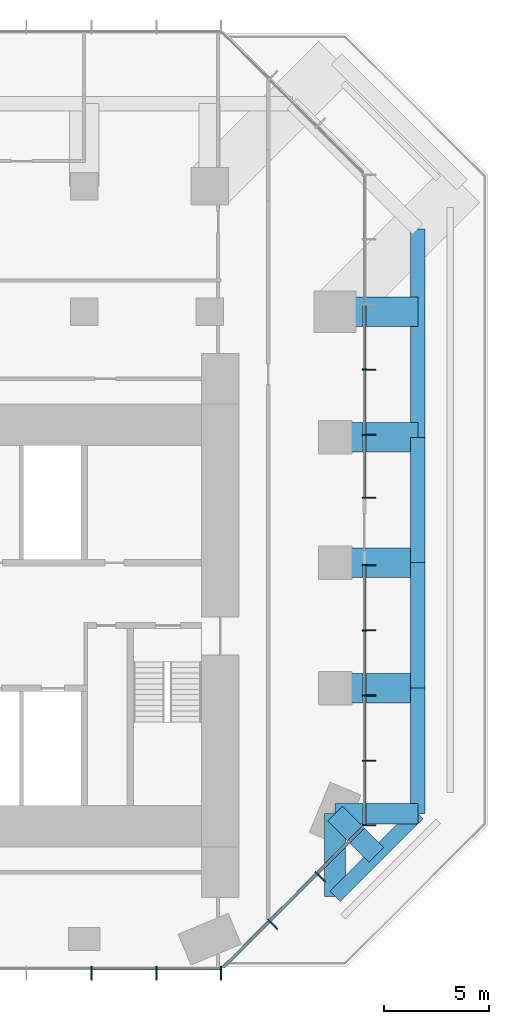
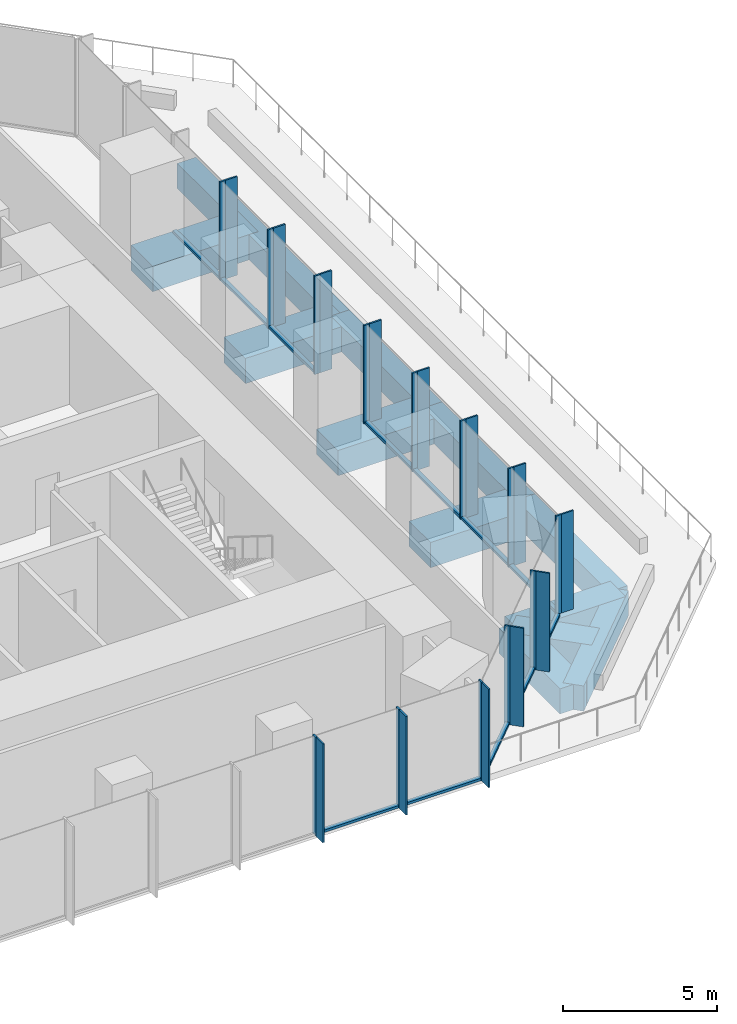
# One storey, part 4 of 11: 38 members, 12 beams, 4 elements without a shape of their own.
"""IFC4 building model written with IfcOpenShell, lengths in metres."""

from ifc_helpers import new_model, si_unit, direction, frame, origin, origin_2d, place, context, subcontext, project, spatial, rectangle, extrude, material, layer, layer_set, material_profile, profile_set, type_object, element, aggregate, save


model = new_model("IFC4")

# Units and contexts
model_context = context("Model", 3, precision=1e-05, world=origin(), true_north=direction((0.0, 1.0)))
body_context = subcontext(model_context, "Body", "Model", "MODEL_VIEW")
ifc_project = project(units=[si_unit("LENGTHUNIT", "METRE"), si_unit("AREAUNIT", "SQUARE_METRE"), si_unit("VOLUMEUNIT", "CUBIC_METRE"), si_unit("PLANEANGLEUNIT", "RADIAN"), si_unit("MASSUNIT", "GRAM", prefix="KILO")], contexts=[model_context])

# Site, building, storey
site_placement = place(None, origin())
site = spatial("IfcSite", under=ifc_project, at=site_placement, CompositionType="ELEMENT")
building_placement = place(site_placement, origin())
building = spatial("IfcBuilding", under=site, at=building_placement, Name="Highveld Stack Headquarters", CompositionType="ELEMENT")
storey_placement = place(building_placement, frame((0.0, 0.0, 188.89990234375)))
storey = spatial("IfcBuildingStorey", under=building, at=storey_placement, Name="L46", CompositionType="ELEMENT", Elevation=188.89990234375)

# Beams
ifc_material_1 = material(Name="Concrete C60/75", Category="concrete")
ifc_material_profile_1 = material_profile(ifc_material_1, rectangle(XDim=1.0, YDim=1.0, at=origin_2d()), Name="RC 1000x1000")
ifc_profile_set_1 = profile_set([ifc_material_profile_1], Name="Concrete C60/75")
beam_type_1 = type_object("IfcBeamType", Name="CANTILEVER RIB RC 1000x1000", PredefinedType="USERDEFINED", material=ifc_profile_set_1)
for number, where, z_axis, x_axis, name in (
    (1, (24.0, -6.0, -0.75), (1.0, 0.0, 0.0), (0.0, 1.0, 0.0), "Cantilever rib 10/D L46"),
    (2, (24.0, -6.0, -0.75), (0.0, -1.0, 0.0), (1.0, 0.0, 0.0), "Cantilever rib 10/D L46"),
):
    element("IfcBeam", number, at=place(storey_placement, frame(where, z_axis=z_axis, x_axis=x_axis)), inside=storey, type_object=beam_type_1, Name=name, ObjectType="CANTILEVER RIB", PredefinedType="USERDEFINED", context=body_context, shape_type="SweptSolid", body=[
        extrude(rectangle(XDim=1.0, YDim=1.0, at=origin_2d()), origin(), (0.0, 0.0, 1.0), 3.949951171875),
    ])
beam_1_placement = place(storey_placement, frame((24.0, -6.0, -0.75), z_axis=(0.707106781187, -0.707106781187, 0.0), x_axis=(0.707106781187, 0.707106781187, 0.0)))
element("IfcBeam", 3, at=beam_1_placement, inside=storey, type_object=beam_type_1, Name="Cantilever rib 10/D L46", ObjectType="CANTILEVER RIB", PredefinedType="USERDEFINED", context=body_context, shape_type="SweptSolid", body=[
    extrude(rectangle(XDim=1.0, YDim=1.0, at=origin_2d()), origin(), (0.0, 0.0, 1.0), 2.793212890625),
])
ifc_material_2 = material(Name="Concrete C60/75", Category="concrete")
ifc_material_profile_2 = material_profile(ifc_material_2, rectangle(XDim=1.39990234375, YDim=1.0, at=origin_2d()), Name="RC 1400x1000")
ifc_profile_set_2 = profile_set([ifc_material_profile_2], Name="Concrete C60/75")
beam_type_2 = type_object("IfcBeamType", Name="CANTILEVER RIB RC 1400x1000", PredefinedType="USERDEFINED", material=ifc_profile_set_2)
for number, where, z_axis, x_axis, name in (
    (4, (24.0, 0.0, -0.75), (1.0, 0.0, 0.0), (0.0, 1.0, 0.0), "Cantilever rib 10/E L46"),
    (5, (24.0, 6.0, -0.75), (1.0, 0.0, 0.0), (0.0, 1.0, 0.0), "Cantilever rib 10/F L46"),
    (6, (24.0, 12.0, -0.75), (1.0, 0.0, 0.0), (0.0, 1.0, 0.0), "Cantilever rib 10/G L46"),
    (7, (24.0, 18.0, -0.75), (1.0, 0.0, 0.0), (0.0, 1.0, 0.0), "Cantilever rib 10/H L46"),
):
    element("IfcBeam", number, at=place(storey_placement, frame(where, z_axis=z_axis, x_axis=x_axis)), inside=storey, type_object=beam_type_2, Name=name, ObjectType="CANTILEVER RIB", PredefinedType="USERDEFINED", context=body_context, shape_type="SweptSolid", body=[
        extrude(rectangle(XDim=1.39990234375, YDim=1.0, at=origin_2d()), origin(), (0.0, 0.0, 1.0), 3.949951171875),
    ])

# Curtain wall, members
ifc_material_3 = material(Name="Aluminium bronze anodised", Category="aluminium")
ifc_layer_1 = layer(ifc_material_3, 0.199951171875)
ifc_layer_set_1 = layer_set([ifc_layer_1], Name="Aluminium bronze anodised")
curtain_wall_type_1 = type_object("IfcCurtainWallType", Name="CW1 TOWER UNITISED CURTAIN WALL", PredefinedType="NOTDEFINED", material=ifc_layer_set_1)
curtain_wall_1_placement = place(storey_placement, origin())
curtain_wall_1 = element("IfcCurtainWall", 8, at=curtain_wall_1_placement, inside=storey, type_object=curtain_wall_type_1, Name="Curtain wall CW1 L46 S", PredefinedType="NOTDEFINED")
ifc_material_4 = material(Name="Aluminium bronze anodised", Category="aluminium")
ifc_material_profile_3 = material_profile(ifc_material_4, rectangle(XDim=0.449951171875, YDim=0.06005859375, at=origin_2d()), Name="FIN 450x60")
ifc_profile_set_3 = profile_set([ifc_material_profile_3], Name="Aluminium bronze anodised")
member_type_1 = type_object("IfcMemberType", Name="CW1 BRONZE FIN 450x60", PredefinedType="USERDEFINED", material=ifc_profile_set_3)
member_1_placement = place(storey_placement, frame((12.347900390625, -13.72509765625, 0.0), z_axis=(0.0, 0.0, 1.0), x_axis=(0.0, 1.0, 0.0)))
member_1 = element("IfcMember", 9, at=member_1_placement, type_object=member_type_1, Name="CW1 fin L46 9", ObjectType="FIN", PredefinedType="USERDEFINED", context=body_context, shape_type="SweptSolid", body=[
    extrude(rectangle(XDim=0.449951171875, YDim=0.06005859375, at=origin_2d()), origin(), (0.0, 0.0, 1.0), 3.900146484375),
])
member_2_placement = place(storey_placement, frame((15.4638671875, -13.72509765625, 0.0), z_axis=(0.0, 0.0, 1.0), x_axis=(0.0, 1.0, 0.0)))
member_2 = element("IfcMember", 10, at=member_2_placement, type_object=member_type_1, Name="CW1 fin L46 10", ObjectType="FIN", PredefinedType="USERDEFINED", context=body_context, shape_type="SweptSolid", body=[
    extrude(rectangle(XDim=0.449951171875, YDim=0.06005859375, at=origin_2d()), origin(), (0.0, 0.0, 1.0), 3.900146484375),
])
member_3_placement = place(storey_placement, frame((18.54736328125, -13.72509765625, 0.0), z_axis=(0.0, 0.0, 1.0), x_axis=(0.0, 1.0, 0.0)))
member_3 = element("IfcMember", 11, at=member_3_placement, type_object=member_type_1, Name="CW1 fin L46 11", ObjectType="FIN", PredefinedType="USERDEFINED", context=body_context, shape_type="SweptSolid", body=[
    extrude(rectangle(XDim=0.449951171875, YDim=0.06005859375, at=origin_2d()), origin(), (0.0, 0.0, 1.0), 3.900146484375),
])

curtain_wall_2_placement = place(storey_placement, origin())
curtain_wall_2 = element("IfcCurtainWall", 12, at=curtain_wall_2_placement, inside=storey, type_object=curtain_wall_type_1, Name="Curtain wall CW1 L46 E-1", PredefinedType="NOTDEFINED")
member_4_placement = place(storey_placement, frame((25.72509765625, -6.54736328125, 0.0), z_axis=(0.0, 0.0, 1.0), x_axis=(-1.0, 0.0, 0.0)))
member_4 = element("IfcMember", 13, at=member_4_placement, type_object=member_type_1, Name="CW1 fin L46 1", ObjectType="FIN", PredefinedType="USERDEFINED", context=body_context, shape_type="SweptSolid", body=[
    extrude(rectangle(XDim=0.449951171875, YDim=0.06005859375, at=origin_2d()), origin(), (0.0, 0.0, 1.0), 3.900146484375),
])
member_5_placement = place(storey_placement, frame((25.72509765625, -3.4638671875, 0.0), z_axis=(0.0, 0.0, 1.0), x_axis=(-1.0, 0.0, 0.0)))
member_5 = element("IfcMember", 14, at=member_5_placement, type_object=member_type_1, Name="CW1 fin L46 2", ObjectType="FIN", PredefinedType="USERDEFINED", context=body_context, shape_type="SweptSolid", body=[
    extrude(rectangle(XDim=0.449951171875, YDim=0.06005859375, at=origin_2d()), origin(), (0.0, 0.0, 1.0), 3.900146484375),
])
member_6_placement = place(storey_placement, frame((25.72509765625, -0.347900390625, 0.0), z_axis=(0.0, 0.0, 1.0), x_axis=(-1.0, 0.0, 0.0)))
member_6 = element("IfcMember", 15, at=member_6_placement, type_object=member_type_1, Name="CW1 fin L46 3", ObjectType="FIN", PredefinedType="USERDEFINED", context=body_context, shape_type="SweptSolid", body=[
    extrude(rectangle(XDim=0.449951171875, YDim=0.06005859375, at=origin_2d()), origin(), (0.0, 0.0, 1.0), 3.900146484375),
])
member_7_placement = place(storey_placement, frame((25.72509765625, 2.76806640625, 0.0), z_axis=(0.0, 0.0, 1.0), x_axis=(-1.0, 0.0, 0.0)))
member_7 = element("IfcMember", 16, at=member_7_placement, type_object=member_type_1, Name="CW1 fin L46 4", ObjectType="FIN", PredefinedType="USERDEFINED", context=body_context, shape_type="SweptSolid", body=[
    extrude(rectangle(XDim=0.449951171875, YDim=0.06005859375, at=origin_2d()), origin(), (0.0, 0.0, 1.0), 3.900146484375),
])
member_8_placement = place(storey_placement, frame((25.72509765625, 5.884033203125, 0.0), z_axis=(0.0, 0.0, 1.0), x_axis=(-1.0, 0.0, 0.0)))
member_8 = element("IfcMember", 17, at=member_8_placement, type_object=member_type_1, Name="CW1 fin L46 5", ObjectType="FIN", PredefinedType="USERDEFINED", context=body_context, shape_type="SweptSolid", body=[
    extrude(rectangle(XDim=0.449951171875, YDim=0.06005859375, at=origin_2d()), origin(), (0.0, 0.0, 1.0), 3.900146484375),
])

curtain_wall_3_placement = place(storey_placement, origin())
curtain_wall_3 = element("IfcCurtainWall", 18, at=curtain_wall_3_placement, inside=storey, type_object=curtain_wall_type_1, Name="Curtain wall CW1 L46 E-2", PredefinedType="NOTDEFINED")
member_9_placement = place(storey_placement, frame((25.72509765625, 9.107421875, 0.0), z_axis=(0.0, 0.0, 1.0), x_axis=(-1.0, 0.0, 0.0)))
member_9 = element("IfcMember", 19, at=member_9_placement, type_object=member_type_1, Name="CW1 fin L46 1", ObjectType="FIN", PredefinedType="USERDEFINED", context=body_context, shape_type="SweptSolid", body=[
    extrude(rectangle(XDim=0.449951171875, YDim=0.06005859375, at=origin_2d()), origin(), (0.0, 0.0, 1.0), 3.900146484375),
])
member_10_placement = place(storey_placement, frame((25.72509765625, 12.115966796875, 0.0), z_axis=(0.0, 0.0, 1.0), x_axis=(-1.0, 0.0, 0.0)))
member_10 = element("IfcMember", 20, at=member_10_placement, type_object=member_type_1, Name="CW1 fin L46 2", ObjectType="FIN", PredefinedType="USERDEFINED", context=body_context, shape_type="SweptSolid", body=[
    extrude(rectangle(XDim=0.449951171875, YDim=0.06005859375, at=origin_2d()), origin(), (0.0, 0.0, 1.0), 3.900146484375),
])
member_11_placement = place(storey_placement, frame((25.72509765625, 15.23193359375, 0.0), z_axis=(0.0, 0.0, 1.0), x_axis=(-1.0, 0.0, 0.0)))
member_11 = element("IfcMember", 21, at=member_11_placement, type_object=member_type_1, Name="CW1 fin L46 3", ObjectType="FIN", PredefinedType="USERDEFINED", context=body_context, shape_type="SweptSolid", body=[
    extrude(rectangle(XDim=0.449951171875, YDim=0.06005859375, at=origin_2d()), origin(), (0.0, 0.0, 1.0), 3.900146484375),
])

# Member
ifc_material_5 = material(Name="Aluminium bronze anodised", Category="aluminium")
ifc_material_profile_4 = material_profile(ifc_material_5, rectangle(XDim=0.199951171875, YDim=0.06494140625, at=origin_2d()), Name="CW1 MULLION 65x200")
ifc_profile_set_4 = profile_set([ifc_material_profile_4], Name="Aluminium bronze anodised")
member_type_2 = type_object("IfcMemberType", Name="CW1 MULLION 65x200", PredefinedType="MULLION", material=ifc_profile_set_4)
member_12_placement = place(storey_placement, frame((12.347900390625, -13.39990234375, 0.0), z_axis=(0.0, 0.0, 1.0), x_axis=(0.0, 1.0, 0.0)))
member_12 = element("IfcMember", 22, at=member_12_placement, type_object=member_type_2, Name="CW1 mullion L46 9", PredefinedType="MULLION", context=body_context, shape_type="SweptSolid", body=[
    extrude(rectangle(XDim=0.199951171875, YDim=0.06494140625, at=origin_2d()), origin(), (0.0, 0.0, 1.0), 3.900146484375),
])

member_13_placement = place(storey_placement, frame((15.4638671875, -13.39990234375, 0.0), z_axis=(0.0, 0.0, 1.0), x_axis=(0.0, 1.0, 0.0)))
member_13 = element("IfcMember", 23, at=member_13_placement, type_object=member_type_2, Name="CW1 mullion L46 10", PredefinedType="MULLION", context=body_context, shape_type="SweptSolid", body=[
    extrude(rectangle(XDim=0.199951171875, YDim=0.06494140625, at=origin_2d()), origin(), (0.0, 0.0, 1.0), 3.900146484375),
])

member_14_placement = place(storey_placement, frame((18.54736328125, -13.39990234375, 0.0), z_axis=(0.0, 0.0, 1.0), x_axis=(0.0, 1.0, 0.0)))
member_14 = element("IfcMember", 24, at=member_14_placement, type_object=member_type_2, Name="CW1 mullion L46 11", PredefinedType="MULLION", context=body_context, shape_type="SweptSolid", body=[
    extrude(rectangle(XDim=0.199951171875, YDim=0.06494140625, at=origin_2d()), origin(), (0.0, 0.0, 1.0), 3.900146484375),
])

member_15_placement = place(storey_placement, frame((25.39990234375, -6.54736328125, 0.0), z_axis=(0.0, 0.0, 1.0), x_axis=(-1.0, 0.0, 0.0)))
member_15 = element("IfcMember", 25, at=member_15_placement, type_object=member_type_2, Name="CW1 mullion L46 1", PredefinedType="MULLION", context=body_context, shape_type="SweptSolid", body=[
    extrude(rectangle(XDim=0.199951171875, YDim=0.06494140625, at=origin_2d()), origin(), (0.0, 0.0, 1.0), 3.900146484375),
])

member_16_placement = place(storey_placement, frame((25.39990234375, -3.4638671875, 0.0), z_axis=(0.0, 0.0, 1.0), x_axis=(-1.0, 0.0, 0.0)))
member_16 = element("IfcMember", 26, at=member_16_placement, type_object=member_type_2, Name="CW1 mullion L46 2", PredefinedType="MULLION", context=body_context, shape_type="SweptSolid", body=[
    extrude(rectangle(XDim=0.199951171875, YDim=0.06494140625, at=origin_2d()), origin(), (0.0, 0.0, 1.0), 3.900146484375),
])

member_17_placement = place(storey_placement, frame((25.39990234375, -0.347900390625, 0.0), z_axis=(0.0, 0.0, 1.0), x_axis=(-1.0, 0.0, 0.0)))
member_17 = element("IfcMember", 27, at=member_17_placement, type_object=member_type_2, Name="CW1 mullion L46 3", PredefinedType="MULLION", context=body_context, shape_type="SweptSolid", body=[
    extrude(rectangle(XDim=0.199951171875, YDim=0.06494140625, at=origin_2d()), origin(), (0.0, 0.0, 1.0), 3.900146484375),
])

member_18_placement = place(storey_placement, frame((25.39990234375, 2.76806640625, 0.0), z_axis=(0.0, 0.0, 1.0), x_axis=(-1.0, 0.0, 0.0)))
member_18 = element("IfcMember", 28, at=member_18_placement, type_object=member_type_2, Name="CW1 mullion L46 4", PredefinedType="MULLION", context=body_context, shape_type="SweptSolid", body=[
    extrude(rectangle(XDim=0.199951171875, YDim=0.06494140625, at=origin_2d()), origin(), (0.0, 0.0, 1.0), 3.900146484375),
])

member_19_placement = place(storey_placement, frame((25.39990234375, 5.884033203125, 0.0), z_axis=(0.0, 0.0, 1.0), x_axis=(-1.0, 0.0, 0.0)))
member_19 = element("IfcMember", 29, at=member_19_placement, type_object=member_type_2, Name="CW1 mullion L46 5", PredefinedType="MULLION", context=body_context, shape_type="SweptSolid", body=[
    extrude(rectangle(XDim=0.199951171875, YDim=0.06494140625, at=origin_2d()), origin(), (0.0, 0.0, 1.0), 3.900146484375),
])

member_20_placement = place(storey_placement, frame((25.39990234375, 9.107421875, 0.0), z_axis=(0.0, 0.0, 1.0), x_axis=(-1.0, 0.0, 0.0)))
member_20 = element("IfcMember", 30, at=member_20_placement, type_object=member_type_2, Name="CW1 mullion L46 1", PredefinedType="MULLION", context=body_context, shape_type="SweptSolid", body=[
    extrude(rectangle(XDim=0.199951171875, YDim=0.06494140625, at=origin_2d()), origin(), (0.0, 0.0, 1.0), 3.900146484375),
])

member_21_placement = place(storey_placement, frame((25.39990234375, 12.115966796875, 0.0), z_axis=(0.0, 0.0, 1.0), x_axis=(-1.0, 0.0, 0.0)))
member_21 = element("IfcMember", 31, at=member_21_placement, type_object=member_type_2, Name="CW1 mullion L46 2", PredefinedType="MULLION", context=body_context, shape_type="SweptSolid", body=[
    extrude(rectangle(XDim=0.199951171875, YDim=0.06494140625, at=origin_2d()), origin(), (0.0, 0.0, 1.0), 3.900146484375),
])

member_22_placement = place(storey_placement, frame((25.39990234375, 15.23193359375, 0.0), z_axis=(0.0, 0.0, 1.0), x_axis=(-1.0, 0.0, 0.0)))
member_22 = element("IfcMember", 32, at=member_22_placement, type_object=member_type_2, Name="CW1 mullion L46 3", PredefinedType="MULLION", context=body_context, shape_type="SweptSolid", body=[
    extrude(rectangle(XDim=0.199951171875, YDim=0.06494140625, at=origin_2d()), origin(), (0.0, 0.0, 1.0), 3.900146484375),
])

ifc_material_6 = material(Name="Aluminium bronze anodised", Category="aluminium")
ifc_material_profile_5 = material_profile(ifc_material_6, rectangle(XDim=0.14990234375, YDim=0.10009765625, at=origin_2d()), Name="CW1 TRANSOM 150x100")
ifc_profile_set_5 = profile_set([ifc_material_profile_5], Name="Aluminium bronze anodised")
member_type_3 = type_object("IfcMemberType", Name="CW1 STACK TRANSOM 150x100", PredefinedType="USERDEFINED", material=ifc_profile_set_5)
member_23_placement = place(storey_placement, frame((12.38037109375, -13.39990234375, 0.050048828125), z_axis=(1.0, 0.0, 0.0), x_axis=(0.0, 1.0, 0.0)))
member_23 = element("IfcMember", 33, at=member_23_placement, type_object=member_type_3, Name="CW1 transom L46 9.1", ObjectType="TRANSOM", PredefinedType="USERDEFINED", context=body_context, shape_type="SweptSolid", body=[
    extrude(rectangle(XDim=0.14990234375, YDim=0.10009765625, at=origin_2d()), origin(), (0.0, 0.0, 1.0), 3.051025390625),
])

member_24_placement = place(storey_placement, frame((15.496337890625, -13.39990234375, 0.050048828125), z_axis=(1.0, 0.0, 0.0), x_axis=(0.0, 1.0, 0.0)))
member_24 = element("IfcMember", 34, at=member_24_placement, type_object=member_type_3, Name="CW1 transom L46 10.1", ObjectType="TRANSOM", PredefinedType="USERDEFINED", context=body_context, shape_type="SweptSolid", body=[
    extrude(rectangle(XDim=0.14990234375, YDim=0.10009765625, at=origin_2d()), origin(), (0.0, 0.0, 1.0), 3.0185546875),
])

aggregate(curtain_wall_1, [member_12, member_1, member_13, member_2, member_14, member_3, member_23, member_24])

member_25_placement = place(storey_placement, frame((25.39990234375, -6.514892578125, 0.050048828125), z_axis=(0.0, 1.0, 0.0), x_axis=(-1.0, 0.0, 0.0)))
member_25 = element("IfcMember", 35, at=member_25_placement, type_object=member_type_3, Name="CW1 transom L46 1.1", ObjectType="TRANSOM", PredefinedType="USERDEFINED", context=body_context, shape_type="SweptSolid", body=[
    extrude(rectangle(XDim=0.14990234375, YDim=0.10009765625, at=origin_2d()), origin(), (0.0, 0.0, 1.0), 3.0185546875),
])

member_26_placement = place(storey_placement, frame((25.39990234375, -3.431396484375, 0.050048828125), z_axis=(0.0, 1.0, 0.0), x_axis=(-1.0, 0.0, 0.0)))
member_26 = element("IfcMember", 36, at=member_26_placement, type_object=member_type_3, Name="CW1 transom L46 2.1", ObjectType="TRANSOM", PredefinedType="USERDEFINED", context=body_context, shape_type="SweptSolid", body=[
    extrude(rectangle(XDim=0.14990234375, YDim=0.10009765625, at=origin_2d()), origin(), (0.0, 0.0, 1.0), 3.051025390625),
])

member_27_placement = place(storey_placement, frame((25.39990234375, -0.3154296875, 0.050048828125), z_axis=(0.0, 1.0, 0.0), x_axis=(-1.0, 0.0, 0.0)))
member_27 = element("IfcMember", 37, at=member_27_placement, type_object=member_type_3, Name="CW1 transom L46 3.1", ObjectType="TRANSOM", PredefinedType="USERDEFINED", context=body_context, shape_type="SweptSolid", body=[
    extrude(rectangle(XDim=0.14990234375, YDim=0.10009765625, at=origin_2d()), origin(), (0.0, 0.0, 1.0), 3.051025390625),
])

member_28_placement = place(storey_placement, frame((25.39990234375, 2.800537109375, 0.050048828125), z_axis=(0.0, 1.0, 0.0), x_axis=(-1.0, 0.0, 0.0)))
member_28 = element("IfcMember", 38, at=member_28_placement, type_object=member_type_3, Name="CW1 transom L46 4.1", ObjectType="TRANSOM", PredefinedType="USERDEFINED", context=body_context, shape_type="SweptSolid", body=[
    extrude(rectangle(XDim=0.14990234375, YDim=0.10009765625, at=origin_2d()), origin(), (0.0, 0.0, 1.0), 3.051025390625),
])

aggregate(curtain_wall_2, [member_15, member_4, member_16, member_5, member_17, member_6, member_18, member_7, member_19, member_8, member_25, member_26, member_27, member_28])

member_29_placement = place(storey_placement, frame((25.39990234375, 9.139892578125, 0.050048828125), z_axis=(0.0, 1.0, 0.0), x_axis=(-1.0, 0.0, 0.0)))
member_29 = element("IfcMember", 39, at=member_29_placement, type_object=member_type_3, Name="CW1 transom L46 6.1", ObjectType="TRANSOM", PredefinedType="USERDEFINED", context=body_context, shape_type="SweptSolid", body=[
    extrude(rectangle(XDim=0.14990234375, YDim=0.10009765625, at=origin_2d()), origin(), (0.0, 0.0, 1.0), 2.943603515625),
])

member_30_placement = place(storey_placement, frame((25.39990234375, 12.1484375, 0.050048828125), z_axis=(0.0, 1.0, 0.0), x_axis=(-1.0, 0.0, 0.0)))
member_30 = element("IfcMember", 40, at=member_30_placement, type_object=member_type_3, Name="CW1 transom L46 7.1", ObjectType="TRANSOM", PredefinedType="USERDEFINED", context=body_context, shape_type="SweptSolid", body=[
    extrude(rectangle(XDim=0.14990234375, YDim=0.10009765625, at=origin_2d()), origin(), (0.0, 0.0, 1.0), 3.051025390625),
])

member_31_placement = place(storey_placement, frame((25.39990234375, 15.264404296875, 0.050048828125), z_axis=(0.0, 1.0, 0.0), x_axis=(-1.0, 0.0, 0.0)))
member_31 = element("IfcMember", 41, at=member_31_placement, type_object=member_type_3, Name="CW1 transom L46 8.1", ObjectType="TRANSOM", PredefinedType="USERDEFINED", context=body_context, shape_type="SweptSolid", body=[
    extrude(rectangle(XDim=0.14990234375, YDim=0.10009765625, at=origin_2d()), origin(), (0.0, 0.0, 1.0), 3.051025390625),
])

aggregate(curtain_wall_3, [member_20, member_9, member_21, member_10, member_22, member_11, member_29, member_30, member_31])

# Curtain wall, members
ifc_material_7 = material(Name="Aluminium bronze anodised", Category="aluminium")
ifc_layer_2 = layer(ifc_material_7, 0.199951171875)
ifc_layer_set_2 = layer_set([ifc_layer_2], Name="Aluminium bronze anodised")
curtain_wall_type_2 = type_object("IfcCurtainWallType", Name="CW2 TOWER CHAMFER UNITISED CURTAIN WALL", PredefinedType="NOTDEFINED", material=ifc_layer_set_2)
curtain_wall_4_placement = place(storey_placement, origin())
curtain_wall_4 = element("IfcCurtainWall", 42, at=curtain_wall_4_placement, inside=storey, type_object=curtain_wall_type_2, Name="Curtain wall CW2 L46 SE", PredefinedType="NOTDEFINED")
ifc_material_8 = material(Name="Aluminium bronze anodised", Category="aluminium")
ifc_material_profile_6 = material_profile(ifc_material_8, rectangle(XDim=0.449951171875, YDim=0.06005859375, at=origin_2d()), Name="FIN 450x60")
ifc_profile_set_6 = profile_set([ifc_material_profile_6], Name="Aluminium bronze anodised")
member_type_4 = type_object("IfcMemberType", Name="CW2 BRONZE FIN 450x60", PredefinedType="USERDEFINED", material=ifc_profile_set_6)
member_32_placement = place(storey_placement, frame((21.0830078125, -11.3564453125, 0.0), z_axis=(0.0, 0.0, 1.0), x_axis=(-0.707106781187, 0.707106781187, 0.0)))
member_32 = element("IfcMember", 43, at=member_32_placement, type_object=member_type_4, Name="CW2 fin L46 1", ObjectType="FIN", PredefinedType="USERDEFINED", context=body_context, shape_type="SweptSolid", body=[
    extrude(rectangle(XDim=0.449951171875, YDim=0.06005859375, at=origin_2d()), origin(), (0.0, 0.0, 1.0), 3.900146484375),
])
member_33_placement = place(storey_placement, frame((23.3564453125, -9.0830078125, 0.0), z_axis=(0.0, 0.0, 1.0), x_axis=(-0.707106781187, 0.707106781187, 0.0)))
member_33 = element("IfcMember", 44, at=member_33_placement, type_object=member_type_4, Name="CW2 fin L46 2", ObjectType="FIN", PredefinedType="USERDEFINED", context=body_context, shape_type="SweptSolid", body=[
    extrude(rectangle(XDim=0.449951171875, YDim=0.06005859375, at=origin_2d()), origin(), (0.0, 0.0, 1.0), 3.900146484375),
])
ifc_material_9 = material(Name="Aluminium bronze anodised", Category="aluminium")
ifc_material_profile_7 = material_profile(ifc_material_9, rectangle(XDim=0.199951171875, YDim=0.06494140625, at=origin_2d()), Name="CW2 MULLION 65x200")
ifc_profile_set_7 = profile_set([ifc_material_profile_7], Name="Aluminium bronze anodised")
member_type_5 = type_object("IfcMemberType", Name="CW2 MULLION 65x200", PredefinedType="MULLION", material=ifc_profile_set_7)
member_34_placement = place(storey_placement, frame((20.853271484375, -11.126708984375, 0.0), z_axis=(0.0, 0.0, 1.0), x_axis=(-0.707106781187, 0.707106781187, 0.0)))
member_34 = element("IfcMember", 45, at=member_34_placement, type_object=member_type_5, Name="CW2 mullion L46 1", PredefinedType="MULLION", context=body_context, shape_type="SweptSolid", body=[
    extrude(rectangle(XDim=0.199951171875, YDim=0.06494140625, at=origin_2d()), origin(), (0.0, 0.0, 1.0), 3.900146484375),
])
member_35_placement = place(storey_placement, frame((23.126708984375, -8.853271484375, 0.0), z_axis=(0.0, 0.0, 1.0), x_axis=(-0.707106781187, 0.707106781187, 0.0)))
member_35 = element("IfcMember", 46, at=member_35_placement, type_object=member_type_5, Name="CW2 mullion L46 2", PredefinedType="MULLION", context=body_context, shape_type="SweptSolid", body=[
    extrude(rectangle(XDim=0.199951171875, YDim=0.06494140625, at=origin_2d()), origin(), (0.0, 0.0, 1.0), 3.900146484375),
])
ifc_material_10 = material(Name="Aluminium bronze anodised", Category="aluminium")
ifc_material_profile_8 = material_profile(ifc_material_10, rectangle(XDim=0.14990234375, YDim=0.10009765625, at=origin_2d()), Name="CW2 TRANSOM 150x100")
ifc_profile_set_8 = profile_set([ifc_material_profile_8], Name="Aluminium bronze anodised")
member_type_6 = type_object("IfcMemberType", Name="CW2 STACK TRANSOM 150x100", PredefinedType="USERDEFINED", material=ifc_profile_set_8)
member_36_placement = place(storey_placement, frame((18.650634765625, -13.329345703125, 0.050048828125), z_axis=(0.707106781187, 0.707106781187, 0.0), x_axis=(-0.707106781187, 0.707106781187, 0.0)))
member_36 = element("IfcMember", 47, at=member_36_placement, type_object=member_type_6, Name="CW2 transom L46 1.1", ObjectType="TRANSOM", PredefinedType="USERDEFINED", context=body_context, shape_type="SweptSolid", body=[
    extrude(rectangle(XDim=0.14990234375, YDim=0.10009765625, at=origin_2d()), origin(), (0.0, 0.0, 1.0), 3.08251953125),
])
member_37_placement = place(storey_placement, frame((20.876220703125, -11.103759765625, 0.050048828125), z_axis=(0.707106781187, 0.707106781187, 0.0), x_axis=(-0.707106781187, 0.707106781187, 0.0)))
member_37 = element("IfcMember", 48, at=member_37_placement, type_object=member_type_6, Name="CW2 transom L46 2.1", ObjectType="TRANSOM", PredefinedType="USERDEFINED", context=body_context, shape_type="SweptSolid", body=[
    extrude(rectangle(XDim=0.14990234375, YDim=0.10009765625, at=origin_2d()), origin(), (0.0, 0.0, 1.0), 3.150146484375),
])
member_38_placement = place(storey_placement, frame((23.149658203125, -8.830322265625, 0.050048828125), z_axis=(0.707106781187, 0.707106781187, 0.0), x_axis=(-0.707106781187, 0.707106781187, 0.0)))
member_38 = element("IfcMember", 49, at=member_38_placement, type_object=member_type_6, Name="CW2 transom L46 3.1", ObjectType="TRANSOM", PredefinedType="USERDEFINED", context=body_context, shape_type="SweptSolid", body=[
    extrude(rectangle(XDim=0.14990234375, YDim=0.10009765625, at=origin_2d()), origin(), (0.0, 0.0, 1.0), 3.08251953125),
])
aggregate(curtain_wall_4, [member_34, member_32, member_35, member_33, member_36, member_37, member_38])

# Beams
ifc_material_11 = material(Name="Concrete C60/75", Category="concrete")
ifc_material_profile_9 = material_profile(ifc_material_11, rectangle(XDim=0.699951171875, YDim=1.0, at=origin_2d()), Name="RC 700x1000")
ifc_profile_set_9 = profile_set([ifc_material_profile_9], Name="Concrete C60/75")
beam_type_3 = type_object("IfcBeamType", Name="RIB TIP BEAM RC 700x1000", PredefinedType="SPANDREL", material=ifc_profile_set_9)
for number, where, z_axis, x_axis, name in (
    (50, (27.949951171875, -6.0, -0.75), (0.0, 1.0, 0.0), (-1.0, 0.0, 0.0), "Rib tip beam 10/D to 10/E L46"),
    (51, (27.949951171875, 0.0, -0.75), (0.0, 1.0, 0.0), (-1.0, 0.0, 0.0), "Rib tip beam 10/E to 10/F L46"),
    (52, (27.949951171875, 6.0, -0.75), (0.0, 1.0, 0.0), (-1.0, 0.0, 0.0), "Rib tip beam 10/F to 10/G L46"),
):
    element("IfcBeam", number, at=place(storey_placement, frame(where, z_axis=z_axis, x_axis=x_axis)), inside=storey, type_object=beam_type_3, Name=name, PredefinedType="SPANDREL", context=body_context, shape_type="SweptSolid", body=[
        extrude(rectangle(XDim=0.699951171875, YDim=1.0, at=origin_2d()), origin(), (0.0, 0.0, 1.0), 6.0),
    ])
beam_2_placement = place(storey_placement, frame((27.949951171875, 12.0, -0.75), z_axis=(0.0, 1.0, 0.0), x_axis=(-1.0, 0.0, 0.0)))
element("IfcBeam", 53, at=beam_2_placement, inside=storey, type_object=beam_type_3, Name="Rib tip beam 10/G to 10/H L46", PredefinedType="SPANDREL", context=body_context, shape_type="SweptSolid", body=[
    extrude(rectangle(XDim=0.699951171875, YDim=1.0, at=origin_2d()), origin(), (0.0, 0.0, 1.0), 9.949951171875),
])
beam_3_placement = place(storey_placement, frame((27.949951171875, -6.0, -0.75), z_axis=(-0.707106781187, -0.707106781187, 0.0), x_axis=(0.707106781187, -0.707106781187, 0.0)))
element("IfcBeam", 54, at=beam_3_placement, inside=storey, type_object=beam_type_3, Name="Rib tip beam 10/D corner L46", PredefinedType="SPANDREL", context=body_context, shape_type="SweptSolid", body=[
    extrude(rectangle(XDim=0.699951171875, YDim=1.0, at=origin_2d()), origin(), (0.0, 0.0, 1.0), 5.586181640625),
])

save(model, "model.ifc")
